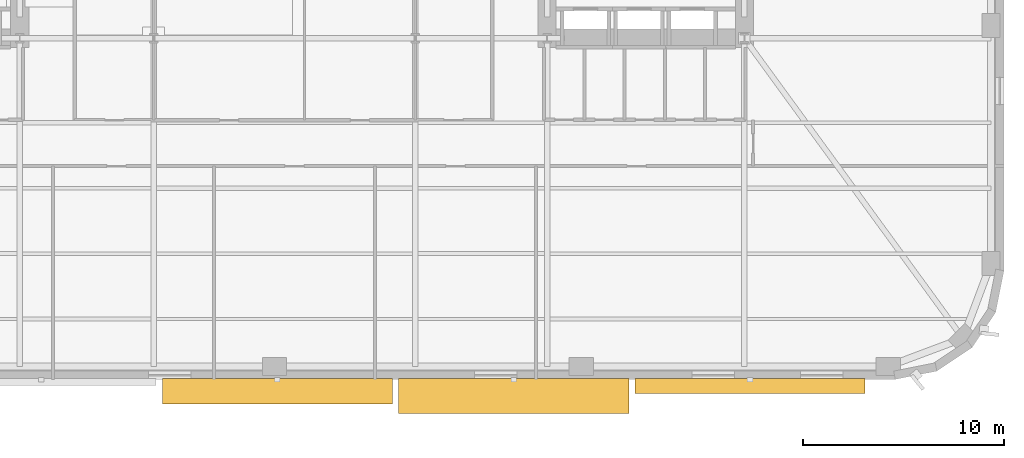
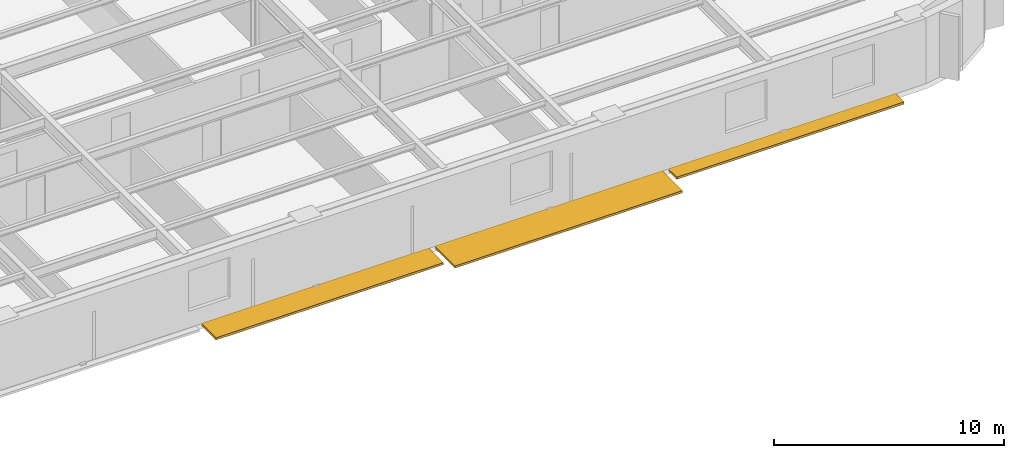
# One storey, part 11 of 15: 3 shading devices.
"""IFC4 building model written with IfcOpenShell, lengths in metres."""

from ifc_helpers import new_model, si_unit, direction, frame, origin, origin_2d, place, context, subcontext, project, spatial, rectangle, extrude, material, type_object, element, save


model = new_model("IFC4")

# Units and contexts
model_context = context("Model", 3, precision=1e-05, world=origin(), true_north=direction((0.0, 1.0)))
body_context = subcontext(model_context, "Body", "Model", "MODEL_VIEW")
ifc_project = project(units=[si_unit("LENGTHUNIT", "METRE"), si_unit("AREAUNIT", "SQUARE_METRE"), si_unit("VOLUMEUNIT", "CUBIC_METRE"), si_unit("PLANEANGLEUNIT", "RADIAN"), si_unit("MASSUNIT", "GRAM", prefix="KILO")], contexts=[model_context])

# Site, building, storey
site_placement = place(None, origin())
site = spatial("IfcSite", under=ifc_project, at=site_placement, CompositionType="ELEMENT")
building_placement = place(site_placement, origin())
building = spatial("IfcBuilding", under=site, at=building_placement, Name="Kolvaren Arena Tower", CompositionType="ELEMENT")
storey_placement = place(building_placement, frame((0.0, 0.0, 49.5)))
storey = spatial("IfcBuildingStorey", under=building, at=storey_placement, Name="L09", CompositionType="ELEMENT", Elevation=49.5)

# Shading devices
ifc_material = material(Name="Architectural precast GFRC and anodised aluminium sunshade", Category="concrete")
shading_device_type_1 = type_object("IfcShadingDeviceType", Name="SHAD-SINE-A", PredefinedType="USERDEFINED", material=ifc_material)
shading_device_1_placement = place(storey_placement, frame((60.6298828125, 2.1796875, -0.14013671875), z_axis=(0.0, 0.0, 1.0), x_axis=(-1.0, 0.0, 0.0)))
element("IfcShadingDevice", 1, at=shading_device_1_placement, inside=storey, type_object=shading_device_type_1, Name="Sinusoidal Slab-Edge Sunshade Louvre (L09)", ObjectType="LOUVRE", PredefinedType="USERDEFINED", context=body_context, shape_type="SweptSolid", body=[
    extrude(rectangle(XDim=11.43994140625, YDim=0.74072265625, at=origin_2d()), origin(), (0.0, 0.0, 1.0), 0.1201171875),
])
shading_device_type_2 = type_object("IfcShadingDeviceType", Name="SHAD-SINE-B", PredefinedType="JALOUSIE", material=ifc_material)
shading_device_2_placement = place(storey_placement, frame((48.889892578125, 1.675537109375, -0.14013671875), z_axis=(0.0, 0.0, 1.0), x_axis=(-1.0, 0.0, 0.0)))
element("IfcShadingDevice", 2, at=shading_device_2_placement, inside=storey, type_object=shading_device_type_2, Name="Sinusoidal Slab-Edge Sunshade Louvre (L09)", PredefinedType="JALOUSIE", context=body_context, shape_type="SweptSolid", body=[
    extrude(rectangle(XDim=11.43994140625, YDim=1.7490234375, at=origin_2d()), origin(), (0.0, 0.0, 1.0), 0.1201171875),
])
shading_device_3_placement = place(storey_placement, frame((37.14990234375, 1.9140625, -0.14013671875), z_axis=(0.0, 0.0, 1.0), x_axis=(-1.0, 0.0, 0.0)))
element("IfcShadingDevice", 3, at=shading_device_3_placement, inside=storey, type_object=shading_device_type_2, Name="Sinusoidal Slab-Edge Sunshade Louvre (L09)", PredefinedType="JALOUSIE", context=body_context, shape_type="SweptSolid", body=[
    extrude(rectangle(XDim=11.43994140625, YDim=1.271728515625, at=origin_2d()), origin(), (0.0, 0.0, 1.0), 0.1201171875),
])

save(model, "model.ifc")
